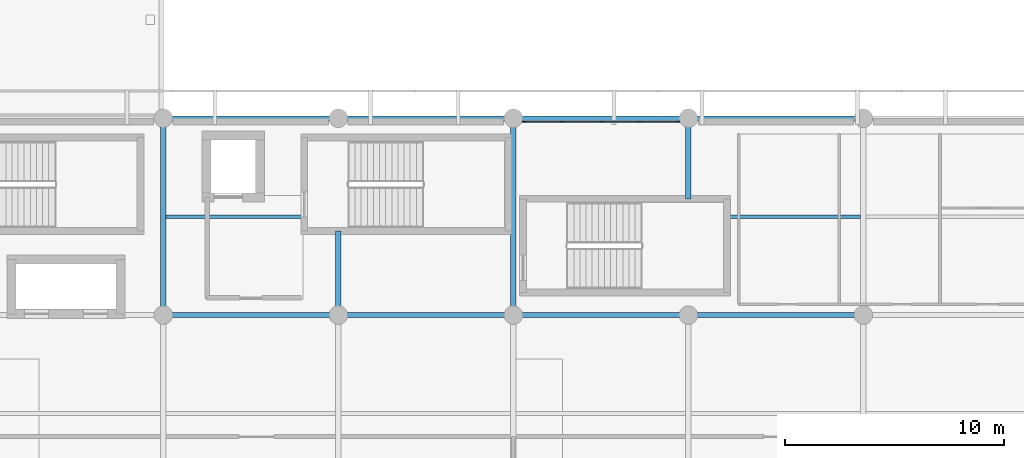
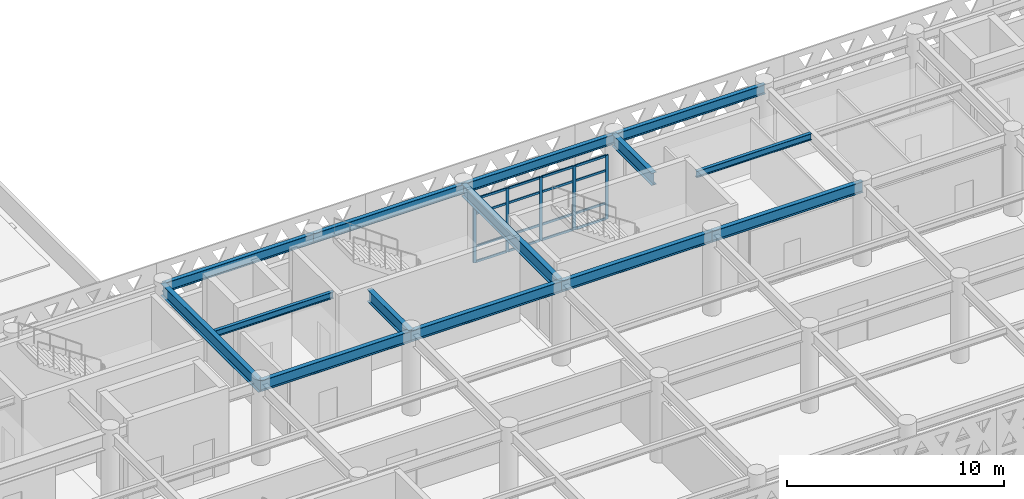
# One storey, part 13 of 54: 21 members, 14 beams, 1 element without a shape of its own.
"""IFC4 building model written with IfcOpenShell, lengths in metres."""

from ifc_helpers import new_model, si_unit, direction, frame, origin, origin_2d, place, context, subcontext, project, spatial, rectangle, i_section, extrude, material, layer, layer_set, material_profile, profile_set, type_object, element, aggregate, save


model = new_model("IFC4")

# Units and contexts
model_context = context("Model", 3, precision=1e-05, world=origin(), true_north=direction((0.0, 1.0)))
body_context = subcontext(model_context, "Body", "Model", "MODEL_VIEW")
ifc_project = project(units=[si_unit("LENGTHUNIT", "METRE"), si_unit("AREAUNIT", "SQUARE_METRE"), si_unit("VOLUMEUNIT", "CUBIC_METRE"), si_unit("PLANEANGLEUNIT", "RADIAN"), si_unit("MASSUNIT", "GRAM", prefix="KILO")], contexts=[model_context])

# Site, building, storey
site_placement = place(None, origin())
site = spatial("IfcSite", under=ifc_project, at=site_placement, CompositionType="ELEMENT")
building_placement = place(site_placement, origin())
building = spatial("IfcBuilding", under=site, at=building_placement, Name="Tlacozan Convention Centre", CompositionType="ELEMENT")
storey_placement = place(building_placement, frame((0.0, 0.0, 11.39990234375)))
storey = spatial("IfcBuildingStorey", under=building, at=storey_placement, Name="L02", CompositionType="ELEMENT", Elevation=11.39990234375)

# Curtain wall, members
ifc_material_1 = material(Name="Dark Bronze Anodised Aluminium", Category="aluminium")
ifc_layer = layer(ifc_material_1, 0.159912109375)
ifc_layer_set = layer_set([ifc_layer], Name="Dark Bronze Anodised Aluminium")
curtain_wall_type = type_object("IfcCurtainWallType", Name="Unitised Congress L02 South CW03", PredefinedType="NOTDEFINED", material=ifc_layer_set)
curtain_wall_placement = place(storey_placement, origin())
curtain_wall = element("IfcCurtainWall", 1, at=curtain_wall_placement, inside=storey, type_object=curtain_wall_type, Name="L02 CW-03 Run 95", PredefinedType="NOTDEFINED")
ifc_material_profile_1 = material_profile(ifc_material_1, rectangle(XDim=0.06494140625, YDim=0.159912109375, at=origin_2d()), Name="ALU 65x160")
ifc_profile_set_1 = profile_set([ifc_material_profile_1], Name="Dark Bronze Anodised Aluminium")
member_type_1 = type_object("IfcMemberType", Name="Curtain Wall Mullion 65x160", PredefinedType="MULLION", material=ifc_profile_set_1)
member_1_placement = place(storey_placement, frame((48.482421875, 26.840087890625, 0.0), z_axis=(0.0, 0.0, 1.0), x_axis=(0.0, 1.0, 0.0)))
member_1 = element("IfcMember", 2, at=member_1_placement, type_object=member_type_1, Name="CW-03 mullion 1", PredefinedType="MULLION", context=body_context, shape_type="SweptSolid", body=[
    extrude(rectangle(XDim=0.06494140625, YDim=0.159912109375, at=origin_2d()), origin(), (0.0, 0.0, 1.0), 3.590087890625),
])
member_2_placement = place(storey_placement, frame((50.22509765625, 26.840087890625, 0.0), z_axis=(0.0, 0.0, 1.0), x_axis=(0.0, 1.0, 0.0)))
member_2 = element("IfcMember", 3, at=member_2_placement, type_object=member_type_1, Name="CW-03 mullion 2", PredefinedType="MULLION", context=body_context, shape_type="SweptSolid", body=[
    extrude(rectangle(XDim=0.06494140625, YDim=0.159912109375, at=origin_2d()), origin(), (0.0, 0.0, 1.0), 3.590087890625),
])
member_3_placement = place(storey_placement, frame((52.0, 26.840087890625, 0.0), z_axis=(0.0, 0.0, 1.0), x_axis=(0.0, 1.0, 0.0)))
member_3 = element("IfcMember", 4, at=member_3_placement, type_object=member_type_1, Name="CW-03 mullion 3", PredefinedType="MULLION", context=body_context, shape_type="SweptSolid", body=[
    extrude(rectangle(XDim=0.06494140625, YDim=0.159912109375, at=origin_2d()), origin(), (0.0, 0.0, 1.0), 3.590087890625),
])
member_4_placement = place(storey_placement, frame((53.77490234375, 26.840087890625, 0.0), z_axis=(0.0, 0.0, 1.0), x_axis=(0.0, 1.0, 0.0)))
member_4 = element("IfcMember", 5, at=member_4_placement, type_object=member_type_1, Name="CW-03 mullion 4", PredefinedType="MULLION", context=body_context, shape_type="SweptSolid", body=[
    extrude(rectangle(XDim=0.06494140625, YDim=0.159912109375, at=origin_2d()), origin(), (0.0, 0.0, 1.0), 3.590087890625),
])
member_5_placement = place(storey_placement, frame((55.517578125, 26.840087890625, 0.0), z_axis=(0.0, 0.0, 1.0), x_axis=(0.0, 1.0, 0.0)))
member_5 = element("IfcMember", 6, at=member_5_placement, type_object=member_type_1, Name="CW-03 mullion 5", PredefinedType="MULLION", context=body_context, shape_type="SweptSolid", body=[
    extrude(rectangle(XDim=0.06494140625, YDim=0.159912109375, at=origin_2d()), origin(), (0.0, 0.0, 1.0), 3.590087890625),
])
ifc_material_profile_2 = material_profile(ifc_material_1, rectangle(XDim=0.06494140625, YDim=0.125, at=origin_2d()), Name="ALU 65x125")
ifc_profile_set_2 = profile_set([ifc_material_profile_2], Name="Dark Bronze Anodised Aluminium")
member_type_2 = type_object("IfcMemberType", Name="Curtain Wall Transom 65x125", PredefinedType="USERDEFINED", material=ifc_profile_set_2)
member_6_placement = place(storey_placement, frame((48.514892578125, 26.840087890625, 0.03271484375), z_axis=(1.0, 0.0, 0.0), x_axis=(0.0, 1.0, 0.0)))
member_6 = element("IfcMember", 7, at=member_6_placement, type_object=member_type_2, Name="CW-03 transom 1.1", ObjectType="TRANSOM", PredefinedType="USERDEFINED", context=body_context, shape_type="SweptSolid", body=[
    extrude(rectangle(XDim=0.06494140625, YDim=0.125, at=origin_2d()), origin(), (0.0, 0.0, 1.0), 1.677490234375),
])
member_7_placement = place(storey_placement, frame((48.514892578125, 26.840087890625, 0.900146484375), z_axis=(1.0, 0.0, 0.0), x_axis=(0.0, 1.0, 0.0)))
member_7 = element("IfcMember", 8, at=member_7_placement, type_object=member_type_2, Name="CW-03 transom 1.2", ObjectType="TRANSOM", PredefinedType="USERDEFINED", context=body_context, shape_type="SweptSolid", body=[
    extrude(rectangle(XDim=0.06494140625, YDim=0.125, at=origin_2d()), origin(), (0.0, 0.0, 1.0), 1.677490234375),
])
member_8_placement = place(storey_placement, frame((48.514892578125, 26.840087890625, 2.739990234375), z_axis=(1.0, 0.0, 0.0), x_axis=(0.0, 1.0, 0.0)))
member_8 = element("IfcMember", 9, at=member_8_placement, type_object=member_type_2, Name="CW-03 transom 1.3", ObjectType="TRANSOM", PredefinedType="USERDEFINED", context=body_context, shape_type="SweptSolid", body=[
    extrude(rectangle(XDim=0.06494140625, YDim=0.125, at=origin_2d()), origin(), (0.0, 0.0, 1.0), 1.677490234375),
])
member_9_placement = place(storey_placement, frame((48.514892578125, 26.840087890625, 3.5576171875), z_axis=(1.0, 0.0, 0.0), x_axis=(0.0, 1.0, 0.0)))
member_9 = element("IfcMember", 10, at=member_9_placement, type_object=member_type_2, Name="CW-03 transom 1.4", ObjectType="TRANSOM", PredefinedType="USERDEFINED", context=body_context, shape_type="SweptSolid", body=[
    extrude(rectangle(XDim=0.06494140625, YDim=0.125, at=origin_2d()), origin(), (0.0, 0.0, 1.0), 1.677490234375),
])
member_10_placement = place(storey_placement, frame((50.257568359375, 26.840087890625, 0.03271484375), z_axis=(1.0, 0.0, 0.0), x_axis=(0.0, 1.0, 0.0)))
member_10 = element("IfcMember", 11, at=member_10_placement, type_object=member_type_2, Name="CW-03 transom 2.1", ObjectType="TRANSOM", PredefinedType="USERDEFINED", context=body_context, shape_type="SweptSolid", body=[
    extrude(rectangle(XDim=0.06494140625, YDim=0.125, at=origin_2d()), origin(), (0.0, 0.0, 1.0), 1.7099609375),
])
member_11_placement = place(storey_placement, frame((50.257568359375, 26.840087890625, 0.900146484375), z_axis=(1.0, 0.0, 0.0), x_axis=(0.0, 1.0, 0.0)))
member_11 = element("IfcMember", 12, at=member_11_placement, type_object=member_type_2, Name="CW-03 transom 2.2", ObjectType="TRANSOM", PredefinedType="USERDEFINED", context=body_context, shape_type="SweptSolid", body=[
    extrude(rectangle(XDim=0.06494140625, YDim=0.125, at=origin_2d()), origin(), (0.0, 0.0, 1.0), 1.7099609375),
])
member_12_placement = place(storey_placement, frame((50.257568359375, 26.840087890625, 2.739990234375), z_axis=(1.0, 0.0, 0.0), x_axis=(0.0, 1.0, 0.0)))
member_12 = element("IfcMember", 13, at=member_12_placement, type_object=member_type_2, Name="CW-03 transom 2.3", ObjectType="TRANSOM", PredefinedType="USERDEFINED", context=body_context, shape_type="SweptSolid", body=[
    extrude(rectangle(XDim=0.06494140625, YDim=0.125, at=origin_2d()), origin(), (0.0, 0.0, 1.0), 1.7099609375),
])
member_13_placement = place(storey_placement, frame((50.257568359375, 26.840087890625, 3.5576171875), z_axis=(1.0, 0.0, 0.0), x_axis=(0.0, 1.0, 0.0)))
member_13 = element("IfcMember", 14, at=member_13_placement, type_object=member_type_2, Name="CW-03 transom 2.4", ObjectType="TRANSOM", PredefinedType="USERDEFINED", context=body_context, shape_type="SweptSolid", body=[
    extrude(rectangle(XDim=0.06494140625, YDim=0.125, at=origin_2d()), origin(), (0.0, 0.0, 1.0), 1.7099609375),
])
member_14_placement = place(storey_placement, frame((52.032470703125, 26.840087890625, 0.03271484375), z_axis=(1.0, 0.0, 0.0), x_axis=(0.0, 1.0, 0.0)))
member_14 = element("IfcMember", 15, at=member_14_placement, type_object=member_type_2, Name="CW-03 transom 3.1", ObjectType="TRANSOM", PredefinedType="USERDEFINED", context=body_context, shape_type="SweptSolid", body=[
    extrude(rectangle(XDim=0.06494140625, YDim=0.125, at=origin_2d()), origin(), (0.0, 0.0, 1.0), 1.7099609375),
])
member_15_placement = place(storey_placement, frame((52.032470703125, 26.840087890625, 0.900146484375), z_axis=(1.0, 0.0, 0.0), x_axis=(0.0, 1.0, 0.0)))
member_15 = element("IfcMember", 16, at=member_15_placement, type_object=member_type_2, Name="CW-03 transom 3.2", ObjectType="TRANSOM", PredefinedType="USERDEFINED", context=body_context, shape_type="SweptSolid", body=[
    extrude(rectangle(XDim=0.06494140625, YDim=0.125, at=origin_2d()), origin(), (0.0, 0.0, 1.0), 1.7099609375),
])
member_16_placement = place(storey_placement, frame((52.032470703125, 26.840087890625, 2.739990234375), z_axis=(1.0, 0.0, 0.0), x_axis=(0.0, 1.0, 0.0)))
member_16 = element("IfcMember", 17, at=member_16_placement, type_object=member_type_2, Name="CW-03 transom 3.3", ObjectType="TRANSOM", PredefinedType="USERDEFINED", context=body_context, shape_type="SweptSolid", body=[
    extrude(rectangle(XDim=0.06494140625, YDim=0.125, at=origin_2d()), origin(), (0.0, 0.0, 1.0), 1.7099609375),
])
member_17_placement = place(storey_placement, frame((52.032470703125, 26.840087890625, 3.5576171875), z_axis=(1.0, 0.0, 0.0), x_axis=(0.0, 1.0, 0.0)))
member_17 = element("IfcMember", 18, at=member_17_placement, type_object=member_type_2, Name="CW-03 transom 3.4", ObjectType="TRANSOM", PredefinedType="USERDEFINED", context=body_context, shape_type="SweptSolid", body=[
    extrude(rectangle(XDim=0.06494140625, YDim=0.125, at=origin_2d()), origin(), (0.0, 0.0, 1.0), 1.7099609375),
])
member_18_placement = place(storey_placement, frame((53.8076171875, 26.840087890625, 0.03271484375), z_axis=(1.0, 0.0, 0.0), x_axis=(0.0, 1.0, 0.0)))
member_18 = element("IfcMember", 19, at=member_18_placement, type_object=member_type_2, Name="CW-03 transom 4.1", ObjectType="TRANSOM", PredefinedType="USERDEFINED", context=body_context, shape_type="SweptSolid", body=[
    extrude(rectangle(XDim=0.06494140625, YDim=0.125, at=origin_2d()), origin(), (0.0, 0.0, 1.0), 1.677490234375),
])
member_19_placement = place(storey_placement, frame((53.8076171875, 26.840087890625, 0.900146484375), z_axis=(1.0, 0.0, 0.0), x_axis=(0.0, 1.0, 0.0)))
member_19 = element("IfcMember", 20, at=member_19_placement, type_object=member_type_2, Name="CW-03 transom 4.2", ObjectType="TRANSOM", PredefinedType="USERDEFINED", context=body_context, shape_type="SweptSolid", body=[
    extrude(rectangle(XDim=0.06494140625, YDim=0.125, at=origin_2d()), origin(), (0.0, 0.0, 1.0), 1.677490234375),
])
member_20_placement = place(storey_placement, frame((53.8076171875, 26.840087890625, 2.739990234375), z_axis=(1.0, 0.0, 0.0), x_axis=(0.0, 1.0, 0.0)))
member_20 = element("IfcMember", 21, at=member_20_placement, type_object=member_type_2, Name="CW-03 transom 4.3", ObjectType="TRANSOM", PredefinedType="USERDEFINED", context=body_context, shape_type="SweptSolid", body=[
    extrude(rectangle(XDim=0.06494140625, YDim=0.125, at=origin_2d()), origin(), (0.0, 0.0, 1.0), 1.677490234375),
])
member_21_placement = place(storey_placement, frame((53.8076171875, 26.840087890625, 3.5576171875), z_axis=(1.0, 0.0, 0.0), x_axis=(0.0, 1.0, 0.0)))
member_21 = element("IfcMember", 22, at=member_21_placement, type_object=member_type_2, Name="CW-03 transom 4.4", ObjectType="TRANSOM", PredefinedType="USERDEFINED", context=body_context, shape_type="SweptSolid", body=[
    extrude(rectangle(XDim=0.06494140625, YDim=0.125, at=origin_2d()), origin(), (0.0, 0.0, 1.0), 1.677490234375),
])
aggregate(curtain_wall, [member_1, member_2, member_3, member_4, member_5, member_6, member_7, member_8, member_9, member_10, member_11, member_12, member_13, member_14, member_15, member_16, member_17, member_18, member_19, member_20, member_21])

# Beams
ifc_material_2 = material(Name="Steel ASTM A992 Grade 50", Category="steel")
ifc_material_profile_3 = material_profile(ifc_material_2, i_section(OverallWidth=0.22900390625, OverallDepth=0.612060546875, WebThickness=0.011962890625, FlangeThickness=0.01953125, FilletRadius=0.012939453125, at=origin_2d()), Name="IR 610x125.0")
ifc_profile_set_3 = profile_set([ifc_material_profile_3], Name="Steel ASTM A992 Grade 50")
beam_type_1 = type_object("IfcBeamType", Name="Floor Beam IR 610x125", PredefinedType="BEAM", material=ifc_profile_set_3)
for number, where, z_axis, x_axis, name in (
    (23, (32.0, 18.0, 4.244140625), (1.0, 0.0, 0.0), (0.0, 1.0, 0.0), "L02 Floor Beam IR 610x125 470"),
    (24, (40.0, 18.0, 4.244140625), (1.0, 0.0, 0.0), (0.0, 1.0, 0.0), "L02 Floor Beam IR 610x125 474"),
    (25, (48.0, 18.0, 4.244140625), (1.0, 0.0, 0.0), (0.0, 1.0, 0.0), "L02 Floor Beam IR 610x125 478"),
    (26, (56.0, 18.0, 4.244140625), (1.0, 0.0, 0.0), (0.0, 1.0, 0.0), "L02 Floor Beam IR 610x125 482"),
):
    element("IfcBeam", number, at=place(storey_placement, frame(where, z_axis=z_axis, x_axis=x_axis)), inside=storey, type_object=beam_type_1, Name=name, PredefinedType="BEAM", context=body_context, shape_type="SweptSolid", body=[
        extrude(i_section(OverallWidth=0.22900390625, OverallDepth=0.612060546875, WebThickness=0.011962890625, FlangeThickness=0.01953125, FilletRadius=0.012939453125, at=origin_2d()), origin(), (0.0, 0.0, 1.0), 8.0),
    ])
ifc_material_profile_4 = material_profile(ifc_material_2, i_section(OverallWidth=0.256103515625, OverallDepth=0.693115234375, WebThickness=0.014404296875, FlangeThickness=0.023681640625, FilletRadius=0.014892578125, at=origin_2d()), Name="IR 686x170.0")
ifc_profile_set_4 = profile_set([ifc_material_profile_4], Name="Steel ASTM A992 Grade 50")
beam_type_2 = type_object("IfcBeamType", Name="Girder Steel IR 686x170", PredefinedType="BEAM", material=ifc_profile_set_4)
beam_1_placement = place(storey_placement, frame((32.0, 18.0, 4.20361328125), z_axis=(0.0, 1.0, 0.0), x_axis=(-1.0, 0.0, 0.0)))
element("IfcBeam", 27, at=beam_1_placement, inside=storey, type_object=beam_type_2, Name="L02 Girder Steel IR 686x170 411", PredefinedType="BEAM", context=body_context, shape_type="SweptSolid", body=[
    extrude(i_section(OverallWidth=0.256103515625, OverallDepth=0.693115234375, WebThickness=0.014404296875, FlangeThickness=0.023681640625, FilletRadius=0.014892578125, at=origin_2d()), origin(), (0.0, 0.0, 1.0), 9.0),
])
beam_2_placement = place(storey_placement, frame((40.0, 18.0, 4.20361328125), z_axis=(0.0, 1.0, 0.0), x_axis=(-1.0, 0.0, 0.0)))
element("IfcBeam", 28, at=beam_2_placement, inside=storey, type_object=beam_type_2, Name="L02 Girder Steel IR 686x170 414", PredefinedType="BEAM", context=body_context, shape_type="SweptSolid", body=[
    extrude(i_section(OverallWidth=0.256103515625, OverallDepth=0.693115234375, WebThickness=0.014404296875, FlangeThickness=0.023681640625, FilletRadius=0.014892578125, at=origin_2d()), origin(), (0.0, 0.0, 1.0), 3.840087890625),
])
beam_3_placement = place(storey_placement, frame((48.0, 18.0, 4.20361328125), z_axis=(0.0, 1.0, 0.0), x_axis=(-1.0, 0.0, 0.0)))
element("IfcBeam", 29, at=beam_3_placement, inside=storey, type_object=beam_type_2, Name="L02 Girder Steel IR 686x170 417", PredefinedType="BEAM", context=body_context, shape_type="SweptSolid", body=[
    extrude(i_section(OverallWidth=0.256103515625, OverallDepth=0.693115234375, WebThickness=0.014404296875, FlangeThickness=0.023681640625, FilletRadius=0.014892578125, at=origin_2d()), origin(), (0.0, 0.0, 1.0), 9.0),
])
beam_4_placement = place(storey_placement, frame((56.0, 23.320068359375, 4.20361328125), z_axis=(0.0, 1.0, 0.0), x_axis=(-1.0, 0.0, 0.0)))
element("IfcBeam", 30, at=beam_4_placement, inside=storey, type_object=beam_type_2, Name="L02 Girder Steel IR 686x170 420", PredefinedType="BEAM", context=body_context, shape_type="SweptSolid", body=[
    extrude(i_section(OverallWidth=0.256103515625, OverallDepth=0.693115234375, WebThickness=0.014404296875, FlangeThickness=0.023681640625, FilletRadius=0.014892578125, at=origin_2d()), origin(), (0.0, 0.0, 1.0), 3.679931640625),
])
ifc_material_profile_5 = material_profile(ifc_material_2, i_section(OverallWidth=0.2109375, OverallDepth=0.5390625, WebThickness=0.01171875, FlangeThickness=0.018798828125, FilletRadius=0.012939453125, at=origin_2d()), Name="IR 533x109.0")
ifc_profile_set_5 = profile_set([ifc_material_profile_5], Name="Steel ASTM A992 Grade 50")
beam_type_3 = type_object("IfcBeamType", Name="Perimeter Spandrel IR 533x109", PredefinedType="SPANDREL", material=ifc_profile_set_5)
for number, where, z_axis, x_axis, name in (
    (31, (32.0, 27.0, 4.280517578125), (1.0, 0.0, 0.0), (0.0, 1.0, 0.0), "L02 Perimeter Spandrel IR 533x109 471"),
    (32, (40.0, 27.0, 4.280517578125), (1.0, 0.0, 0.0), (0.0, 1.0, 0.0), "L02 Perimeter Spandrel IR 533x109 475"),
    (33, (48.0, 27.0, 4.280517578125), (1.0, 0.0, 0.0), (0.0, 1.0, 0.0), "L02 Perimeter Spandrel IR 533x109 479"),
    (34, (56.0, 27.0, 4.280517578125), (1.0, 0.0, 0.0), (0.0, 1.0, 0.0), "L02 Perimeter Spandrel IR 533x109 483"),
):
    element("IfcBeam", number, at=place(storey_placement, frame(where, z_axis=z_axis, x_axis=x_axis)), inside=storey, type_object=beam_type_3, Name=name, PredefinedType="SPANDREL", context=body_context, shape_type="SweptSolid", body=[
        extrude(i_section(OverallWidth=0.2109375, OverallDepth=0.5390625, WebThickness=0.01171875, FlangeThickness=0.018798828125, FilletRadius=0.012939453125, at=origin_2d()), origin(), (0.0, 0.0, 1.0), 8.0),
    ])
ifc_material_profile_6 = material_profile(ifc_material_2, i_section(OverallWidth=0.173095703125, OverallDepth=0.364013671875, WebThickness=0.009033203125, FlangeThickness=0.015625, FilletRadius=0.010009765625, at=origin_2d()), Name="IR 356x67.1")
ifc_profile_set_6 = profile_set([ifc_material_profile_6], Name="Steel ASTM A992 Grade 50")
beam_type_4 = type_object("IfcBeamType", Name="Secondary Joist IR 356x67.1", PredefinedType="JOIST", material=ifc_profile_set_6)
beam_5_placement = place(storey_placement, frame((32.1259765625, 22.5, 4.3681640625), z_axis=(1.0, 0.0, 0.0), x_axis=(0.0, 1.0, 0.0)))
element("IfcBeam", 35, at=beam_5_placement, inside=storey, type_object=beam_type_4, Name="L02 Secondary Joist IR 356x67.1 511", PredefinedType="JOIST", context=body_context, shape_type="SweptSolid", body=[
    extrude(i_section(OverallWidth=0.173095703125, OverallDepth=0.364013671875, WebThickness=0.009033203125, FlangeThickness=0.015625, FilletRadius=0.010009765625, at=origin_2d()), origin(), (0.0, 0.0, 1.0), 6.31396484375),
])
beam_6_placement = place(storey_placement, frame((57.760009765625, 22.5, 4.3681640625), z_axis=(1.0, 0.0, 0.0), x_axis=(0.0, 1.0, 0.0)))
element("IfcBeam", 36, at=beam_6_placement, inside=storey, type_object=beam_type_4, Name="L02 Secondary Joist IR 356x67.1 518", PredefinedType="JOIST", context=body_context, shape_type="SweptSolid", body=[
    extrude(i_section(OverallWidth=0.173095703125, OverallDepth=0.364013671875, WebThickness=0.009033203125, FlangeThickness=0.015625, FilletRadius=0.010009765625, at=origin_2d()), origin(), (0.0, 0.0, 1.0), 6.114013671875),
])

save(model, "model.ifc")
